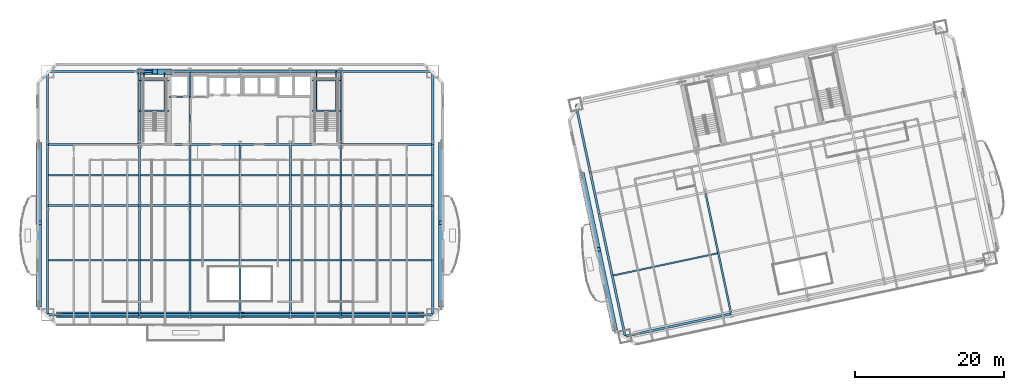
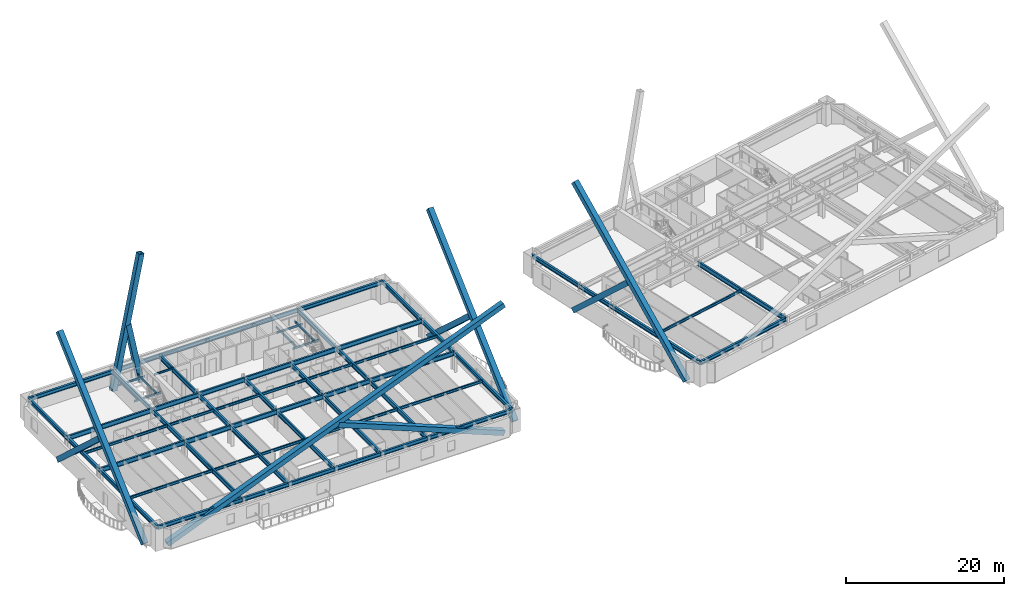
# One storey, part 3 of 20: 70 beams, 10 members.
"""IFC4 building model written with IfcOpenShell, lengths in metres."""

from ifc_helpers import new_model, si_unit, direction, frame, origin, origin_2d, place, context, subcontext, project, spatial, hollow_rectangle, i_section, extrude, material, material_profile, profile_set, type_object, element, save


model = new_model("IFC4")

# Units and contexts
model_context = context("Model", 3, precision=1e-05, world=origin(), true_north=direction((0.0, 1.0)))
body_context = subcontext(model_context, "Body", "Model", "MODEL_VIEW")
ifc_project = project(units=[si_unit("LENGTHUNIT", "METRE"), si_unit("AREAUNIT", "SQUARE_METRE"), si_unit("VOLUMEUNIT", "CUBIC_METRE"), si_unit("PLANEANGLEUNIT", "RADIAN"), si_unit("MASSUNIT", "GRAM", prefix="KILO")], contexts=[model_context])

# Site, building, storey
site_placement = place(None, origin())
site = spatial("IfcSite", under=ifc_project, at=site_placement, CompositionType="ELEMENT")
building_placement = place(site_placement, origin())
building = spatial("IfcBuilding", under=site, at=building_placement, Name="Haevon Station Towers", CompositionType="ELEMENT")
storey_placement = place(building_placement, frame((0.0, 0.0, 30.60009765625)))
storey = spatial("IfcBuildingStorey", under=building, at=storey_placement, Name="L06", CompositionType="ELEMENT", Elevation=30.60009765625)

# Beams
ifc_material_1 = material(Name="Steel S355", Category="steel")
ifc_material_profile_1 = material_profile(ifc_material_1, i_section(OverallWidth=0.25, OverallDepth=0.699951171875, WebThickness=0.012939453125, FlangeThickness=0.02392578125, at=origin_2d()), Name="H-700x250x13x24")
ifc_profile_set_1 = profile_set([ifc_material_profile_1], Name="Steel S355")
beam_type_1 = type_object("IfcBeamType", Name="BM-G700", PredefinedType="BEAM", material=ifc_profile_set_1)
beam_1_placement = place(storey_placement, frame((11.64990234375, 30.0, 2.699951171875), z_axis=(1.0, 0.0, 0.0), x_axis=(0.0, 1.0, 0.0)))
element("IfcBeam", 1, at=beam_1_placement, inside=storey, type_object=beam_type_1, Name="BM-T1U-L06-02-01", PredefinedType="BEAM", context=body_context, shape_type="SweptSolid", body=[
    extrude(i_section(OverallWidth=0.25, OverallDepth=0.699951171875, WebThickness=0.012939453125, FlangeThickness=0.02392578125, at=origin_2d()), origin(), (0.0, 0.0, 1.0), 12.35009765625),
])
for number, where, z_axis, x_axis, name in (
    (2, (24.0, 30.0, 2.699951171875), (1.0, 0.0, 0.0), (0.0, 1.0, 0.0), "BM-T1U-L06-02-02"),
    (3, (30.75, 30.0, 2.699951171875), (1.0, 0.0, 0.0), (0.0, 1.0, 0.0), "BM-T1U-L06-02-03"),
    (4, (37.5, 30.0, 2.699951171875), (1.0, 0.0, 0.0), (0.0, 1.0, 0.0), "BM-T1U-L06-02-04"),
    (5, (44.25, 30.0, 2.699951171875), (1.0, 0.0, 0.0), (0.0, 1.0, 0.0), "BM-T1U-L06-02-05"),
):
    element("IfcBeam", number, at=place(storey_placement, frame(where, z_axis=z_axis, x_axis=x_axis)), inside=storey, type_object=beam_type_1, Name=name, PredefinedType="BEAM", context=body_context, shape_type="SweptSolid", body=[
        extrude(i_section(OverallWidth=0.25, OverallDepth=0.699951171875, WebThickness=0.012939453125, FlangeThickness=0.02392578125, at=origin_2d()), origin(), (0.0, 0.0, 1.0), 6.75),
    ])
for number, where, z_axis, x_axis, name in (
    (6, (51.0, 30.0, 2.699951171875), (1.0, 0.0, 0.0), (0.0, 1.0, 0.0), "BM-T1U-L06-02-06"),
    (7, (11.64990234375, 38.199951171875, 2.699951171875), (1.0, 0.0, 0.0), (0.0, 1.0, 0.0), "BM-T1U-L06-03-01"),
):
    element("IfcBeam", number, at=place(storey_placement, frame(where, z_axis=z_axis, x_axis=x_axis)), inside=storey, type_object=beam_type_1, Name=name, PredefinedType="BEAM", context=body_context, shape_type="SweptSolid", body=[
        extrude(i_section(OverallWidth=0.25, OverallDepth=0.699951171875, WebThickness=0.012939453125, FlangeThickness=0.02392578125, at=origin_2d()), origin(), (0.0, 0.0, 1.0), 12.35009765625),
    ])
for number, where, z_axis, x_axis, name in (
    (8, (24.0, 38.199951171875, 2.699951171875), (1.0, 0.0, 0.0), (0.0, 1.0, 0.0), "BM-T1U-L06-03-02"),
    (9, (30.75, 38.199951171875, 2.699951171875), (1.0, 0.0, 0.0), (0.0, 1.0, 0.0), "BM-T1U-L06-03-03"),
    (10, (37.5, 38.199951171875, 2.699951171875), (1.0, 0.0, 0.0), (0.0, 1.0, 0.0), "BM-T1U-L06-03-04"),
    (11, (44.25, 38.199951171875, 2.699951171875), (1.0, 0.0, 0.0), (0.0, 1.0, 0.0), "BM-T1U-L06-03-05"),
):
    element("IfcBeam", number, at=place(storey_placement, frame(where, z_axis=z_axis, x_axis=x_axis)), inside=storey, type_object=beam_type_1, Name=name, PredefinedType="BEAM", context=body_context, shape_type="SweptSolid", body=[
        extrude(i_section(OverallWidth=0.25, OverallDepth=0.699951171875, WebThickness=0.012939453125, FlangeThickness=0.02392578125, at=origin_2d()), origin(), (0.0, 0.0, 1.0), 6.75),
    ])
beam_2_placement = place(storey_placement, frame((51.0, 38.199951171875, 2.699951171875), z_axis=(1.0, 0.0, 0.0), x_axis=(0.0, 1.0, 0.0)))
element("IfcBeam", 12, at=beam_2_placement, inside=storey, type_object=beam_type_1, Name="BM-T1U-L06-03-06", PredefinedType="BEAM", context=body_context, shape_type="SweptSolid", body=[
    extrude(i_section(OverallWidth=0.25, OverallDepth=0.699951171875, WebThickness=0.012939453125, FlangeThickness=0.02392578125, at=origin_2d()), origin(), (0.0, 0.0, 1.0), 12.35009765625),
])
beam_3_placement = place(storey_placement, frame((24.0, 15.35009765625, 2.699951171875), z_axis=(0.0, 1.0, 0.0), x_axis=(-1.0, 0.0, 0.0)))
element("IfcBeam", 13, at=beam_3_placement, inside=storey, type_object=beam_type_1, Name="BM-T1V-L06-02-01", PredefinedType="BEAM", context=body_context, shape_type="SweptSolid", body=[
    extrude(i_section(OverallWidth=0.25, OverallDepth=0.699951171875, WebThickness=0.012939453125, FlangeThickness=0.02392578125, at=origin_2d()), origin(), (0.0, 0.0, 1.0), 14.64990234375),
])
beam_4_placement = place(storey_placement, frame((24.0, 30.0, 2.699951171875), z_axis=(0.0, 1.0, 0.0), x_axis=(-1.0, 0.0, 0.0)))
element("IfcBeam", 14, at=beam_4_placement, inside=storey, type_object=beam_type_1, Name="BM-T1V-L06-02-02", PredefinedType="BEAM", context=body_context, shape_type="SweptSolid", body=[
    extrude(i_section(OverallWidth=0.25, OverallDepth=0.699951171875, WebThickness=0.012939453125, FlangeThickness=0.02392578125, at=origin_2d()), origin(), (0.0, 0.0, 1.0), 8.199951171875),
])
beam_5_placement = place(storey_placement, frame((24.0, 38.199951171875, 2.699951171875), z_axis=(0.0, 1.0, 0.0), x_axis=(-1.0, 0.0, 0.0)))
element("IfcBeam", 15, at=beam_5_placement, inside=storey, type_object=beam_type_1, Name="BM-T1V-L06-02-03", PredefinedType="BEAM", context=body_context, shape_type="SweptSolid", body=[
    extrude(i_section(OverallWidth=0.25, OverallDepth=0.699951171875, WebThickness=0.012939453125, FlangeThickness=0.02392578125, at=origin_2d()), origin(), (0.0, 0.0, 1.0), 9.800048828125),
])
beam_6_placement = place(storey_placement, frame((30.75, 15.35009765625, 2.699951171875), z_axis=(0.0, 1.0, 0.0), x_axis=(-1.0, 0.0, 0.0)))
element("IfcBeam", 16, at=beam_6_placement, inside=storey, type_object=beam_type_1, Name="BM-T1V-L06-03-01", PredefinedType="BEAM", context=body_context, shape_type="SweptSolid", body=[
    extrude(i_section(OverallWidth=0.25, OverallDepth=0.699951171875, WebThickness=0.012939453125, FlangeThickness=0.02392578125, at=origin_2d()), origin(), (0.0, 0.0, 1.0), 14.64990234375),
])
beam_7_placement = place(storey_placement, frame((30.75, 30.0, 2.699951171875), z_axis=(0.0, 1.0, 0.0), x_axis=(-1.0, 0.0, 0.0)))
element("IfcBeam", 17, at=beam_7_placement, inside=storey, type_object=beam_type_1, Name="BM-T1V-L06-03-02", PredefinedType="BEAM", context=body_context, shape_type="SweptSolid", body=[
    extrude(i_section(OverallWidth=0.25, OverallDepth=0.699951171875, WebThickness=0.012939453125, FlangeThickness=0.02392578125, at=origin_2d()), origin(), (0.0, 0.0, 1.0), 8.199951171875),
])
beam_8_placement = place(storey_placement, frame((30.75, 38.199951171875, 2.699951171875), z_axis=(0.0, 1.0, 0.0), x_axis=(-1.0, 0.0, 0.0)))
element("IfcBeam", 18, at=beam_8_placement, inside=storey, type_object=beam_type_1, Name="BM-T1V-L06-03-03", PredefinedType="BEAM", context=body_context, shape_type="SweptSolid", body=[
    extrude(i_section(OverallWidth=0.25, OverallDepth=0.699951171875, WebThickness=0.012939453125, FlangeThickness=0.02392578125, at=origin_2d()), origin(), (0.0, 0.0, 1.0), 9.800048828125),
])
beam_9_placement = place(storey_placement, frame((37.5, 15.35009765625, 2.699951171875), z_axis=(0.0, 1.0, 0.0), x_axis=(-1.0, 0.0, 0.0)))
element("IfcBeam", 19, at=beam_9_placement, inside=storey, type_object=beam_type_1, Name="BM-T1V-L06-04-01", PredefinedType="BEAM", context=body_context, shape_type="SweptSolid", body=[
    extrude(i_section(OverallWidth=0.25, OverallDepth=0.699951171875, WebThickness=0.012939453125, FlangeThickness=0.02392578125, at=origin_2d()), origin(), (0.0, 0.0, 1.0), 14.64990234375),
])
beam_10_placement = place(storey_placement, frame((37.5, 30.0, 2.699951171875), z_axis=(0.0, 1.0, 0.0), x_axis=(-1.0, 0.0, 0.0)))
element("IfcBeam", 20, at=beam_10_placement, inside=storey, type_object=beam_type_1, Name="BM-T1V-L06-04-02", PredefinedType="BEAM", context=body_context, shape_type="SweptSolid", body=[
    extrude(i_section(OverallWidth=0.25, OverallDepth=0.699951171875, WebThickness=0.012939453125, FlangeThickness=0.02392578125, at=origin_2d()), origin(), (0.0, 0.0, 1.0), 8.199951171875),
])
beam_11_placement = place(storey_placement, frame((44.25, 15.35009765625, 2.699951171875), z_axis=(0.0, 1.0, 0.0), x_axis=(-1.0, 0.0, 0.0)))
element("IfcBeam", 21, at=beam_11_placement, inside=storey, type_object=beam_type_1, Name="BM-T1V-L06-05-01", PredefinedType="BEAM", context=body_context, shape_type="SweptSolid", body=[
    extrude(i_section(OverallWidth=0.25, OverallDepth=0.699951171875, WebThickness=0.012939453125, FlangeThickness=0.02392578125, at=origin_2d()), origin(), (0.0, 0.0, 1.0), 14.64990234375),
])
beam_12_placement = place(storey_placement, frame((44.25, 30.0, 2.699951171875), z_axis=(0.0, 1.0, 0.0), x_axis=(-1.0, 0.0, 0.0)))
element("IfcBeam", 22, at=beam_12_placement, inside=storey, type_object=beam_type_1, Name="BM-T1V-L06-05-02", PredefinedType="BEAM", context=body_context, shape_type="SweptSolid", body=[
    extrude(i_section(OverallWidth=0.25, OverallDepth=0.699951171875, WebThickness=0.012939453125, FlangeThickness=0.02392578125, at=origin_2d()), origin(), (0.0, 0.0, 1.0), 8.199951171875),
])
beam_13_placement = place(storey_placement, frame((51.0, 15.35009765625, 2.699951171875), z_axis=(0.0, 1.0, 0.0), x_axis=(-1.0, 0.0, 0.0)))
element("IfcBeam", 23, at=beam_13_placement, inside=storey, type_object=beam_type_1, Name="BM-T1V-L06-06-01", PredefinedType="BEAM", context=body_context, shape_type="SweptSolid", body=[
    extrude(i_section(OverallWidth=0.25, OverallDepth=0.699951171875, WebThickness=0.012939453125, FlangeThickness=0.02392578125, at=origin_2d()), origin(), (0.0, 0.0, 1.0), 14.64990234375),
])
beam_14_placement = place(storey_placement, frame((51.0, 30.0, 2.699951171875), z_axis=(0.0, 1.0, 0.0), x_axis=(-1.0, 0.0, 0.0)))
element("IfcBeam", 24, at=beam_14_placement, inside=storey, type_object=beam_type_1, Name="BM-T1V-L06-06-02", PredefinedType="BEAM", context=body_context, shape_type="SweptSolid", body=[
    extrude(i_section(OverallWidth=0.25, OverallDepth=0.699951171875, WebThickness=0.012939453125, FlangeThickness=0.02392578125, at=origin_2d()), origin(), (0.0, 0.0, 1.0), 8.199951171875),
])
beam_15_placement = place(storey_placement, frame((51.0, 38.199951171875, 2.699951171875), z_axis=(0.0, 1.0, 0.0), x_axis=(-1.0, 0.0, 0.0)))
element("IfcBeam", 25, at=beam_15_placement, inside=storey, type_object=beam_type_1, Name="BM-T1V-L06-06-03", PredefinedType="BEAM", context=body_context, shape_type="SweptSolid", body=[
    extrude(i_section(OverallWidth=0.25, OverallDepth=0.699951171875, WebThickness=0.012939453125, FlangeThickness=0.02392578125, at=origin_2d()), origin(), (0.0, 0.0, 1.0), 9.800048828125),
])
beam_16_placement = place(storey_placement, frame((103.419921875, 15.48291015625, 2.699951171875), z_axis=(-0.20790856066, 0.978148266064, 0.0), x_axis=(-0.978148266064, -0.20790856066, 0.0)))
element("IfcBeam", 26, at=beam_16_placement, inside=storey, type_object=beam_type_1, Name="BM-T2V-L06-02-01", PredefinedType="BEAM", context=body_context, shape_type="SweptSolid", body=[
    extrude(i_section(OverallWidth=0.25, OverallDepth=0.699951171875, WebThickness=0.012939453125, FlangeThickness=0.02392578125, at=origin_2d()), origin(), (0.0, 0.0, 1.0), 16.64990234375),
])
ifc_material_profile_2 = material_profile(ifc_material_1, i_section(OverallWidth=0.199951171875, OverallDepth=0.39990234375, WebThickness=0.008056640625, FlangeThickness=0.012939453125, at=origin_2d()), Name="H-400x200x8x13")
ifc_profile_set_2 = profile_set([ifc_material_profile_2], Name="Steel S355")
beam_type_2 = type_object("IfcBeamType", Name="BM-J400", PredefinedType="JOIST", material=ifc_profile_set_2)
beam_17_placement = place(storey_placement, frame((11.760009765625, 22.675048828125, 2.849853515625), z_axis=(1.0, 0.0, 0.0), x_axis=(0.0, 1.0, 0.0)))
element("IfcBeam", 27, at=beam_17_placement, inside=storey, type_object=beam_type_2, Name="BM-T1J-L06-01-01", PredefinedType="JOIST", context=body_context, shape_type="SweptSolid", body=[
    extrude(i_section(OverallWidth=0.199951171875, OverallDepth=0.39990234375, WebThickness=0.008056640625, FlangeThickness=0.012939453125, at=origin_2d()), origin(), (0.0, 0.0, 1.0), 12.1298828125),
])
for number, where, z_axis, x_axis, name in (
    (28, (24.110107421875, 22.675048828125, 2.849853515625), (1.0, 0.0, 0.0), (0.0, 1.0, 0.0), "BM-T1J-L06-01-02"),
    (29, (30.860107421875, 22.675048828125, 2.849853515625), (1.0, 0.0, 0.0), (0.0, 1.0, 0.0), "BM-T1J-L06-01-03"),
    (30, (37.610107421875, 22.675048828125, 2.849853515625), (1.0, 0.0, 0.0), (0.0, 1.0, 0.0), "BM-T1J-L06-01-04"),
    (31, (44.360107421875, 22.675048828125, 2.849853515625), (1.0, 0.0, 0.0), (0.0, 1.0, 0.0), "BM-T1J-L06-01-05"),
):
    element("IfcBeam", number, at=place(storey_placement, frame(where, z_axis=z_axis, x_axis=x_axis)), inside=storey, type_object=beam_type_2, Name=name, PredefinedType="JOIST", context=body_context, shape_type="SweptSolid", body=[
        extrude(i_section(OverallWidth=0.199951171875, OverallDepth=0.39990234375, WebThickness=0.008056640625, FlangeThickness=0.012939453125, at=origin_2d()), origin(), (0.0, 0.0, 1.0), 6.52978515625),
    ])
for number, where, z_axis, x_axis, name in (
    (32, (51.110107421875, 22.675048828125, 2.849853515625), (1.0, 0.0, 0.0), (0.0, 1.0, 0.0), "BM-T1J-L06-01-06"),
    (33, (11.760009765625, 34.10009765625, 2.849853515625), (1.0, 0.0, 0.0), (0.0, 1.0, 0.0), "BM-T1J-L06-02-01"),
):
    element("IfcBeam", number, at=place(storey_placement, frame(where, z_axis=z_axis, x_axis=x_axis)), inside=storey, type_object=beam_type_2, Name=name, PredefinedType="JOIST", context=body_context, shape_type="SweptSolid", body=[
        extrude(i_section(OverallWidth=0.199951171875, OverallDepth=0.39990234375, WebThickness=0.008056640625, FlangeThickness=0.012939453125, at=origin_2d()), origin(), (0.0, 0.0, 1.0), 12.1298828125),
    ])
for number, where, z_axis, x_axis, name in (
    (34, (24.110107421875, 34.10009765625, 2.849853515625), (1.0, 0.0, 0.0), (0.0, 1.0, 0.0), "BM-T1J-L06-02-02"),
    (35, (30.860107421875, 34.10009765625, 2.849853515625), (1.0, 0.0, 0.0), (0.0, 1.0, 0.0), "BM-T1J-L06-02-03"),
    (36, (37.610107421875, 34.10009765625, 2.849853515625), (1.0, 0.0, 0.0), (0.0, 1.0, 0.0), "BM-T1J-L06-02-04"),
    (37, (44.360107421875, 34.10009765625, 2.849853515625), (1.0, 0.0, 0.0), (0.0, 1.0, 0.0), "BM-T1J-L06-02-05"),
):
    element("IfcBeam", number, at=place(storey_placement, frame(where, z_axis=z_axis, x_axis=x_axis)), inside=storey, type_object=beam_type_2, Name=name, PredefinedType="JOIST", context=body_context, shape_type="SweptSolid", body=[
        extrude(i_section(OverallWidth=0.199951171875, OverallDepth=0.39990234375, WebThickness=0.008056640625, FlangeThickness=0.012939453125, at=origin_2d()), origin(), (0.0, 0.0, 1.0), 6.52978515625),
    ])
beam_18_placement = place(storey_placement, frame((51.110107421875, 34.10009765625, 2.849853515625), z_axis=(1.0, 0.0, 0.0), x_axis=(0.0, 1.0, 0.0)))
element("IfcBeam", 38, at=beam_18_placement, inside=storey, type_object=beam_type_2, Name="BM-T1J-L06-02-06", PredefinedType="JOIST", context=body_context, shape_type="SweptSolid", body=[
    extrude(i_section(OverallWidth=0.199951171875, OverallDepth=0.39990234375, WebThickness=0.008056640625, FlangeThickness=0.012939453125, at=origin_2d()), origin(), (0.0, 0.0, 1.0), 12.1298828125),
])
beam_19_placement = place(storey_placement, frame((87.564697265625, 20.623779296875, 2.849853515625), z_axis=(0.978145902522, 0.207919680114, 0.0), x_axis=(-0.207919680114, 0.978145902522, 0.0)))
element("IfcBeam", 39, at=beam_19_placement, inside=storey, type_object=beam_type_2, Name="BM-T2J-L06-01-01", PredefinedType="JOIST", context=body_context, shape_type="SweptSolid", body=[
    extrude(i_section(OverallWidth=0.199951171875, OverallDepth=0.39990234375, WebThickness=0.008056640625, FlangeThickness=0.012939453125, at=origin_2d()), origin(), (0.0, 0.0, 1.0), 14.330078125),
])
ifc_material_profile_3 = material_profile(ifc_material_1, i_section(OverallWidth=0.14990234375, OverallDepth=0.300048828125, WebThickness=0.006591796875, FlangeThickness=0.009033203125, at=origin_2d()), Name="H-300x150x6.5x9")
ifc_profile_set_3 = profile_set([ifc_material_profile_3], Name="Steel S355")
beam_type_3 = type_object("IfcBeamType", Name="BM-LIN300", PredefinedType="LINTEL", material=ifc_profile_set_3)
for number, where, z_axis, x_axis, name in (
    (40, (24.0, 42.743896484375, 1.2998046875), (1.0, 0.0, 0.0), (0.0, 1.0, 0.0), "BM-ST1L-L06-1-S"),
    (41, (24.0, 46.820068359375, 1.2998046875), (1.0, 0.0, 0.0), (0.0, 1.0, 0.0), "BM-ST1L-L06-1-N"),
):
    element("IfcBeam", number, at=place(storey_placement, frame(where, z_axis=z_axis, x_axis=x_axis)), inside=storey, type_object=beam_type_3, Name=name, PredefinedType="LINTEL", context=body_context, shape_type="SweptSolid", body=[
        extrude(i_section(OverallWidth=0.14990234375, OverallDepth=0.300048828125, WebThickness=0.006591796875, FlangeThickness=0.009033203125, at=origin_2d()), origin(), (0.0, 0.0, 1.0), 3.949951171875),
    ])
for number, where, z_axis, x_axis, name in (
    (42, (24.60009765625, 42.743896484375, 1.2998046875), (0.0, 1.0, 0.0), (-1.0, 0.0, 0.0), "BM-ST1L-L06-1-W"),
    (43, (27.35009765625, 42.743896484375, 1.2998046875), (0.0, 1.0, 0.0), (-1.0, 0.0, 0.0), "BM-ST1L-L06-1-E"),
):
    element("IfcBeam", number, at=place(storey_placement, frame(where, z_axis=z_axis, x_axis=x_axis)), inside=storey, type_object=beam_type_3, Name=name, PredefinedType="LINTEL", context=body_context, shape_type="SweptSolid", body=[
        extrude(i_section(OverallWidth=0.14990234375, OverallDepth=0.300048828125, WebThickness=0.006591796875, FlangeThickness=0.009033203125, at=origin_2d()), origin(), (0.0, 0.0, 1.0), 5.256103515625),
    ])
for number, where, z_axis, x_axis, name in (
    (44, (47.14990234375, 42.743896484375, 1.2998046875), (1.0, 0.0, 0.0), (0.0, 1.0, 0.0), "BM-ST2L-L06-1-S"),
    (45, (47.14990234375, 46.820068359375, 1.2998046875), (1.0, 0.0, 0.0), (0.0, 1.0, 0.0), "BM-ST2L-L06-1-N"),
):
    element("IfcBeam", number, at=place(storey_placement, frame(where, z_axis=z_axis, x_axis=x_axis)), inside=storey, type_object=beam_type_3, Name=name, PredefinedType="LINTEL", context=body_context, shape_type="SweptSolid", body=[
        extrude(i_section(OverallWidth=0.14990234375, OverallDepth=0.300048828125, WebThickness=0.006591796875, FlangeThickness=0.009033203125, at=origin_2d()), origin(), (0.0, 0.0, 1.0), 3.85009765625),
    ])
for number, where, z_axis, x_axis, name in (
    (46, (47.75, 42.743896484375, 1.2998046875), (0.0, 1.0, 0.0), (-1.0, 0.0, 0.0), "BM-ST2L-L06-1-W"),
    (47, (50.39990234375, 42.743896484375, 1.2998046875), (0.0, 1.0, 0.0), (-1.0, 0.0, 0.0), "BM-ST2L-L06-1-E"),
):
    element("IfcBeam", number, at=place(storey_placement, frame(where, z_axis=z_axis, x_axis=x_axis)), inside=storey, type_object=beam_type_3, Name=name, PredefinedType="LINTEL", context=body_context, shape_type="SweptSolid", body=[
        extrude(i_section(OverallWidth=0.14990234375, OverallDepth=0.300048828125, WebThickness=0.006591796875, FlangeThickness=0.009033203125, at=origin_2d()), origin(), (0.0, 0.0, 1.0), 5.256103515625),
    ])
beam_20_placement = place(storey_placement, frame((27.949951171875, 44.60009765625, 2.89990234375), z_axis=(1.0, 0.0, 0.0), x_axis=(0.0, 1.0, 0.0)))
element("IfcBeam", 48, at=beam_20_placement, inside=storey, type_object=beam_type_3, Name="BM-T1LIN-L06", PredefinedType="LINTEL", context=body_context, shape_type="SweptSolid", body=[
    extrude(i_section(OverallWidth=0.14990234375, OverallDepth=0.300048828125, WebThickness=0.006591796875, FlangeThickness=0.009033203125, at=origin_2d()), origin(), (0.0, 0.0, 1.0), 2.85009765625),
])
ifc_material_profile_4 = material_profile(ifc_material_1, i_section(OverallWidth=0.300048828125, OverallDepth=0.587890625, WebThickness=0.011962890625, FlangeThickness=0.02001953125, at=origin_2d()), Name="H-588x300x12x20")
ifc_profile_set_4 = profile_set([ifc_material_profile_4], Name="Steel S355")
beam_type_4 = type_object("IfcBeamType", Name="BM-SP588", PredefinedType="SPANDREL", material=ifc_profile_set_4)
beam_21_placement = place(storey_placement, frame((11.64990234375, 15.35009765625, 2.755859375), z_axis=(1.0, 0.0, 0.0), x_axis=(0.0, 1.0, 0.0)))
element("IfcBeam", 49, at=beam_21_placement, inside=storey, type_object=beam_type_4, Name="BM-T1U-L06-01-01", PredefinedType="SPANDREL", context=body_context, shape_type="SweptSolid", body=[
    extrude(i_section(OverallWidth=0.300048828125, OverallDepth=0.587890625, WebThickness=0.011962890625, FlangeThickness=0.02001953125, at=origin_2d()), origin(), (0.0, 0.0, 1.0), 12.35009765625),
])
for number, where, z_axis, x_axis, name in (
    (50, (24.0, 15.35009765625, 2.755859375), (1.0, 0.0, 0.0), (0.0, 1.0, 0.0), "BM-T1U-L06-01-02"),
    (51, (30.75, 15.35009765625, 2.755859375), (1.0, 0.0, 0.0), (0.0, 1.0, 0.0), "BM-T1U-L06-01-03"),
    (52, (37.5, 15.35009765625, 2.755859375), (1.0, 0.0, 0.0), (0.0, 1.0, 0.0), "BM-T1U-L06-01-04"),
    (53, (44.25, 15.35009765625, 2.755859375), (1.0, 0.0, 0.0), (0.0, 1.0, 0.0), "BM-T1U-L06-01-05"),
):
    element("IfcBeam", number, at=place(storey_placement, frame(where, z_axis=z_axis, x_axis=x_axis)), inside=storey, type_object=beam_type_4, Name=name, PredefinedType="SPANDREL", context=body_context, shape_type="SweptSolid", body=[
        extrude(i_section(OverallWidth=0.300048828125, OverallDepth=0.587890625, WebThickness=0.011962890625, FlangeThickness=0.02001953125, at=origin_2d()), origin(), (0.0, 0.0, 1.0), 6.75),
    ])
for number, where, z_axis, x_axis, name in (
    (54, (51.0, 15.35009765625, 2.755859375), (1.0, 0.0, 0.0), (0.0, 1.0, 0.0), "BM-T1U-L06-01-06"),
    (55, (11.64990234375, 48.0, 2.755859375), (1.0, 0.0, 0.0), (0.0, 1.0, 0.0), "BM-T1U-L06-04-01"),
):
    element("IfcBeam", number, at=place(storey_placement, frame(where, z_axis=z_axis, x_axis=x_axis)), inside=storey, type_object=beam_type_4, Name=name, PredefinedType="SPANDREL", context=body_context, shape_type="SweptSolid", body=[
        extrude(i_section(OverallWidth=0.300048828125, OverallDepth=0.587890625, WebThickness=0.011962890625, FlangeThickness=0.02001953125, at=origin_2d()), origin(), (0.0, 0.0, 1.0), 12.35009765625),
    ])
for number, where, z_axis, x_axis, name in (
    (56, (24.0, 48.0, 2.755859375), (1.0, 0.0, 0.0), (0.0, 1.0, 0.0), "BM-T1U-L06-04-02"),
    (57, (30.75, 48.0, 2.755859375), (1.0, 0.0, 0.0), (0.0, 1.0, 0.0), "BM-T1U-L06-04-03"),
    (58, (37.5, 48.0, 2.755859375), (1.0, 0.0, 0.0), (0.0, 1.0, 0.0), "BM-T1U-L06-04-04"),
    (59, (44.25, 48.0, 2.755859375), (1.0, 0.0, 0.0), (0.0, 1.0, 0.0), "BM-T1U-L06-04-05"),
):
    element("IfcBeam", number, at=place(storey_placement, frame(where, z_axis=z_axis, x_axis=x_axis)), inside=storey, type_object=beam_type_4, Name=name, PredefinedType="SPANDREL", context=body_context, shape_type="SweptSolid", body=[
        extrude(i_section(OverallWidth=0.300048828125, OverallDepth=0.587890625, WebThickness=0.011962890625, FlangeThickness=0.02001953125, at=origin_2d()), origin(), (0.0, 0.0, 1.0), 6.75),
    ])
beam_22_placement = place(storey_placement, frame((51.0, 48.0, 2.755859375), z_axis=(1.0, 0.0, 0.0), x_axis=(0.0, 1.0, 0.0)))
element("IfcBeam", 60, at=beam_22_placement, inside=storey, type_object=beam_type_4, Name="BM-T1U-L06-04-06", PredefinedType="SPANDREL", context=body_context, shape_type="SweptSolid", body=[
    extrude(i_section(OverallWidth=0.300048828125, OverallDepth=0.587890625, WebThickness=0.011962890625, FlangeThickness=0.02001953125, at=origin_2d()), origin(), (0.0, 0.0, 1.0), 12.35009765625),
])
beam_23_placement = place(storey_placement, frame((11.64990234375, 15.35009765625, 2.755859375), z_axis=(0.0, 1.0, 0.0), x_axis=(-1.0, 0.0, 0.0)))
element("IfcBeam", 61, at=beam_23_placement, inside=storey, type_object=beam_type_4, Name="BM-T1V-L06-01-01", PredefinedType="SPANDREL", context=body_context, shape_type="SweptSolid", body=[
    extrude(i_section(OverallWidth=0.300048828125, OverallDepth=0.587890625, WebThickness=0.011962890625, FlangeThickness=0.02001953125, at=origin_2d()), origin(), (0.0, 0.0, 1.0), 14.64990234375),
])
beam_24_placement = place(storey_placement, frame((11.64990234375, 30.0, 2.755859375), z_axis=(0.0, 1.0, 0.0), x_axis=(-1.0, 0.0, 0.0)))
element("IfcBeam", 62, at=beam_24_placement, inside=storey, type_object=beam_type_4, Name="BM-T1V-L06-01-02", PredefinedType="SPANDREL", context=body_context, shape_type="SweptSolid", body=[
    extrude(i_section(OverallWidth=0.300048828125, OverallDepth=0.587890625, WebThickness=0.011962890625, FlangeThickness=0.02001953125, at=origin_2d()), origin(), (0.0, 0.0, 1.0), 8.199951171875),
])
beam_25_placement = place(storey_placement, frame((11.64990234375, 38.199951171875, 2.755859375), z_axis=(0.0, 1.0, 0.0), x_axis=(-1.0, 0.0, 0.0)))
element("IfcBeam", 63, at=beam_25_placement, inside=storey, type_object=beam_type_4, Name="BM-T1V-L06-01-03", PredefinedType="SPANDREL", context=body_context, shape_type="SweptSolid", body=[
    extrude(i_section(OverallWidth=0.300048828125, OverallDepth=0.587890625, WebThickness=0.011962890625, FlangeThickness=0.02001953125, at=origin_2d()), origin(), (0.0, 0.0, 1.0), 9.800048828125),
])
beam_26_placement = place(storey_placement, frame((63.35009765625, 15.35009765625, 2.755859375), z_axis=(0.0, 1.0, 0.0), x_axis=(-1.0, 0.0, 0.0)))
element("IfcBeam", 64, at=beam_26_placement, inside=storey, type_object=beam_type_4, Name="BM-T1V-L06-07-01", PredefinedType="SPANDREL", context=body_context, shape_type="SweptSolid", body=[
    extrude(i_section(OverallWidth=0.300048828125, OverallDepth=0.587890625, WebThickness=0.011962890625, FlangeThickness=0.02001953125, at=origin_2d()), origin(), (0.0, 0.0, 1.0), 14.64990234375),
])
beam_27_placement = place(storey_placement, frame((63.35009765625, 30.0, 2.755859375), z_axis=(0.0, 1.0, 0.0), x_axis=(-1.0, 0.0, 0.0)))
element("IfcBeam", 65, at=beam_27_placement, inside=storey, type_object=beam_type_4, Name="BM-T1V-L06-07-02", PredefinedType="SPANDREL", context=body_context, shape_type="SweptSolid", body=[
    extrude(i_section(OverallWidth=0.300048828125, OverallDepth=0.587890625, WebThickness=0.011962890625, FlangeThickness=0.02001953125, at=origin_2d()), origin(), (0.0, 0.0, 1.0), 8.199951171875),
])
beam_28_placement = place(storey_placement, frame((63.35009765625, 38.199951171875, 2.755859375), z_axis=(0.0, 1.0, 0.0), x_axis=(-1.0, 0.0, 0.0)))
element("IfcBeam", 66, at=beam_28_placement, inside=storey, type_object=beam_type_4, Name="BM-T1V-L06-07-03", PredefinedType="SPANDREL", context=body_context, shape_type="SweptSolid", body=[
    extrude(i_section(OverallWidth=0.300048828125, OverallDepth=0.587890625, WebThickness=0.011962890625, FlangeThickness=0.02001953125, at=origin_2d()), origin(), (0.0, 0.0, 1.0), 9.800048828125),
])
beam_29_placement = place(storey_placement, frame((89.18798828125, 12.457763671875, 2.755859375), z_axis=(0.978146823396, 0.207915347869, 0.0), x_axis=(-0.207915347869, 0.978146823396, 0.0)))
element("IfcBeam", 67, at=beam_29_placement, inside=storey, type_object=beam_type_4, Name="BM-T2U-L06-01-01", PredefinedType="SPANDREL", context=body_context, shape_type="SweptSolid", body=[
    extrude(i_section(OverallWidth=0.300048828125, OverallDepth=0.587890625, WebThickness=0.011962890625, FlangeThickness=0.02001953125, at=origin_2d()), origin(), (0.0, 0.0, 1.0), 14.5498046875),
])
beam_30_placement = place(storey_placement, frame((89.18798828125, 12.457763671875, 2.755859375), z_axis=(-0.207919607786, 0.978145917897, 0.0), x_axis=(-0.978145917897, -0.207919607786, 0.0)))
element("IfcBeam", 68, at=beam_30_placement, inside=storey, type_object=beam_type_4, Name="BM-T2V-L06-01-01", PredefinedType="SPANDREL", context=body_context, shape_type="SweptSolid", body=[
    extrude(i_section(OverallWidth=0.300048828125, OverallDepth=0.587890625, WebThickness=0.011962890625, FlangeThickness=0.02001953125, at=origin_2d()), origin(), (0.0, 0.0, 1.0), 16.650146484375),
])
beam_31_placement = place(storey_placement, frame((85.72607421875, 28.744140625, 2.755859375), z_axis=(-0.207904569273, 0.978149114438, 0.0), x_axis=(-0.978149114438, -0.207904569273, 0.0)))
element("IfcBeam", 69, at=beam_31_placement, inside=storey, type_object=beam_type_4, Name="BM-T2V-L06-01-02", PredefinedType="SPANDREL", context=body_context, shape_type="SweptSolid", body=[
    extrude(i_section(OverallWidth=0.300048828125, OverallDepth=0.587890625, WebThickness=0.011962890625, FlangeThickness=0.02001953125, at=origin_2d()), origin(), (0.0, 0.0, 1.0), 5.7998046875),
])
beam_32_placement = place(storey_placement, frame((84.520263671875, 34.417236328125, 2.755859375), z_axis=(-0.207897167074, 0.978150687738, 0.0), x_axis=(-0.978150687738, -0.207897167074, 0.0)))
element("IfcBeam", 70, at=beam_32_placement, inside=storey, type_object=beam_type_4, Name="BM-T2V-L06-01-03", PredefinedType="SPANDREL", context=body_context, shape_type="SweptSolid", body=[
    extrude(i_section(OverallWidth=0.300048828125, OverallDepth=0.587890625, WebThickness=0.011962890625, FlangeThickness=0.02001953125, at=origin_2d()), origin(), (0.0, 0.0, 1.0), 9.35009765625),
])

# Members
ifc_material_2 = material(Name="Steel S460", Category="steel")
ifc_material_profile_5 = material_profile(ifc_material_2, hollow_rectangle(XDim=0.75, YDim=0.75, WallThickness=0.035888671875, at=origin_2d()), Name="RHS-750x750x36")
ifc_profile_set_5 = profile_set([ifc_material_profile_5], Name="Steel S460")
member_type = type_object("IfcMemberType", Name="MB-750", PredefinedType="BRACE", material=ifc_profile_set_5)
member_1_placement = place(storey_placement, frame((12.949951171875, 15.35009765625, -0.1201171875), z_axis=(0.92762749603, 0.0, 0.373506664745), x_axis=(0.0, 1.0, 0.0)))
element("IfcMember", 71, at=member_1_placement, inside=storey, type_object=member_type, Name="BR-T1MB-T00-S-D1", PredefinedType="BRACE", context=body_context, shape_type="SweptSolid", body=[
    extrude(hollow_rectangle(XDim=0.75, YDim=0.75, WallThickness=0.035888671875, at=origin_2d()), origin(), (0.0, 0.0, 1.0), 52.930908203125),
])
member_2_placement = place(storey_placement, frame((62.050048828125, 15.35009765625, -0.1201171875), z_axis=(-0.927627848077, 0.0, 0.373505790414), x_axis=(0.0, -1.0, 0.0)))
element("IfcMember", 72, at=member_2_placement, inside=storey, type_object=member_type, Name="BR-T1MB-T00-S-D2A", PredefinedType="BRACE", context=body_context, shape_type="SweptSolid", body=[
    extrude(hollow_rectangle(XDim=0.75, YDim=0.75, WallThickness=0.035888671875, at=origin_2d()), origin(), (0.0, 0.0, 1.0), 26.07861328125),
])
member_3_placement = place(storey_placement, frame((24.0, 48.0, -0.1201171875), z_axis=(0.19592284188, 0.0, 0.98061931453), x_axis=(0.0, 1.0, 0.0)))
element("IfcMember", 73, at=member_3_placement, inside=storey, type_object=member_type, Name="BR-T1MB-T00-N-D1", PredefinedType="BRACE", context=body_context, shape_type="SweptSolid", body=[
    extrude(hollow_rectangle(XDim=0.75, YDim=0.75, WallThickness=0.035888671875, at=origin_2d()), origin(), (0.0, 0.0, 1.0), 20.16064453125),
])
member_4_placement = place(storey_placement, frame((27.949951171875, 48.0, -0.1201171875), z_axis=(-0.195922392356, 0.0, 0.980619404343), x_axis=(0.0, -1.0, 0.0)))
element("IfcMember", 74, at=member_4_placement, inside=storey, type_object=member_type, Name="BR-T1MB-T00-N-D2A", PredefinedType="BRACE", context=body_context, shape_type="SweptSolid", body=[
    extrude(hollow_rectangle(XDim=0.75, YDim=0.75, WallThickness=0.035888671875, at=origin_2d()), origin(), (0.0, 0.0, 1.0), 9.693359375),
])
member_5_placement = place(storey_placement, frame((10.47998046875, 16.64990234375, -0.1201171875), z_axis=(0.0, 0.736884829494, 0.676018304532), x_axis=(-1.0, 0.0, 0.0)))
element("IfcMember", 75, at=member_5_placement, inside=storey, type_object=member_type, Name="BR-T1MB-T00-W-D1", PredefinedType="BRACE", context=body_context, shape_type="SweptSolid", body=[
    extrude(hollow_rectangle(XDim=0.75, YDim=0.75, WallThickness=0.035888671875, at=origin_2d()), origin(), (0.0, 0.0, 1.0), 29.244873046875),
])
member_6_placement = place(storey_placement, frame((10.47998046875, 38.199951171875, -0.1201171875), z_axis=(0.0, -0.736884981936, 0.676018138364), x_axis=(1.0, 0.0, 0.0)))
element("IfcMember", 76, at=member_6_placement, inside=storey, type_object=member_type, Name="BR-T1MB-T00-W-D2A", PredefinedType="BRACE", context=body_context, shape_type="SweptSolid", body=[
    extrude(hollow_rectangle(XDim=0.75, YDim=0.75, WallThickness=0.035888671875, at=origin_2d()), origin(), (0.0, 0.0, 1.0), 14.2353515625),
])
member_7_placement = place(storey_placement, frame((64.52001953125, 16.64990234375, -0.1201171875), z_axis=(0.0, 0.736884829494, 0.676018304532), x_axis=(-1.0, 0.0, 0.0)))
element("IfcMember", 77, at=member_7_placement, inside=storey, type_object=member_type, Name="BR-T1MB-T00-E-D1", PredefinedType="BRACE", context=body_context, shape_type="SweptSolid", body=[
    extrude(hollow_rectangle(XDim=0.75, YDim=0.75, WallThickness=0.035888671875, at=origin_2d()), origin(), (0.0, 0.0, 1.0), 29.244873046875),
])
member_8_placement = place(storey_placement, frame((64.52001953125, 38.199951171875, -0.1201171875), z_axis=(0.0, -0.736884981936, 0.676018138364), x_axis=(1.0, 0.0, 0.0)))
element("IfcMember", 78, at=member_8_placement, inside=storey, type_object=member_type, Name="BR-T1MB-T00-E-D2A", PredefinedType="BRACE", context=body_context, shape_type="SweptSolid", body=[
    extrude(hollow_rectangle(XDim=0.75, YDim=0.75, WallThickness=0.035888671875, at=origin_2d()), origin(), (0.0, 0.0, 1.0), 14.2353515625),
])
member_9_placement = place(storey_placement, frame((87.773193359375, 13.486328125, -0.1201171875), z_axis=(-0.151883752358, 0.714572956725, 0.682873938064), x_axis=(-0.978148552341, -0.207907213805, 0.0)))
element("IfcMember", 79, at=member_9_placement, inside=storey, type_object=member_type, Name="BR-T2MB-T00-W-D1", PredefinedType="BRACE", context=body_context, shape_type="SweptSolid", body=[
    extrude(hollow_rectangle(XDim=0.75, YDim=0.75, WallThickness=0.035888671875, at=origin_2d()), origin(), (0.0, 0.0, 1.0), 28.951171875),
])
member_10_placement = place(storey_placement, frame((83.3759765625, 34.174072265625, -0.1201171875), z_axis=(0.151886920383, -0.714570342146, 0.68287596937), x_axis=(0.97814751572, 0.207912090777, 0.0)))
element("IfcMember", 80, at=member_10_placement, inside=storey, type_object=member_type, Name="BR-T2MB-T00-W-D2A", PredefinedType="BRACE", context=body_context, shape_type="SweptSolid", body=[
    extrude(hollow_rectangle(XDim=0.75, YDim=0.75, WallThickness=0.035888671875, at=origin_2d()), origin(), (0.0, 0.0, 1.0), 14.088623046875),
])

save(model, "model.ifc")
